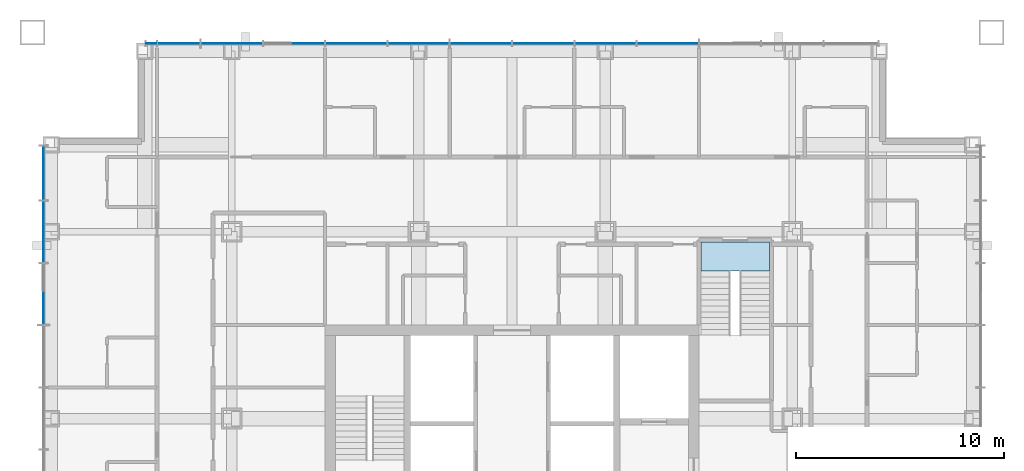
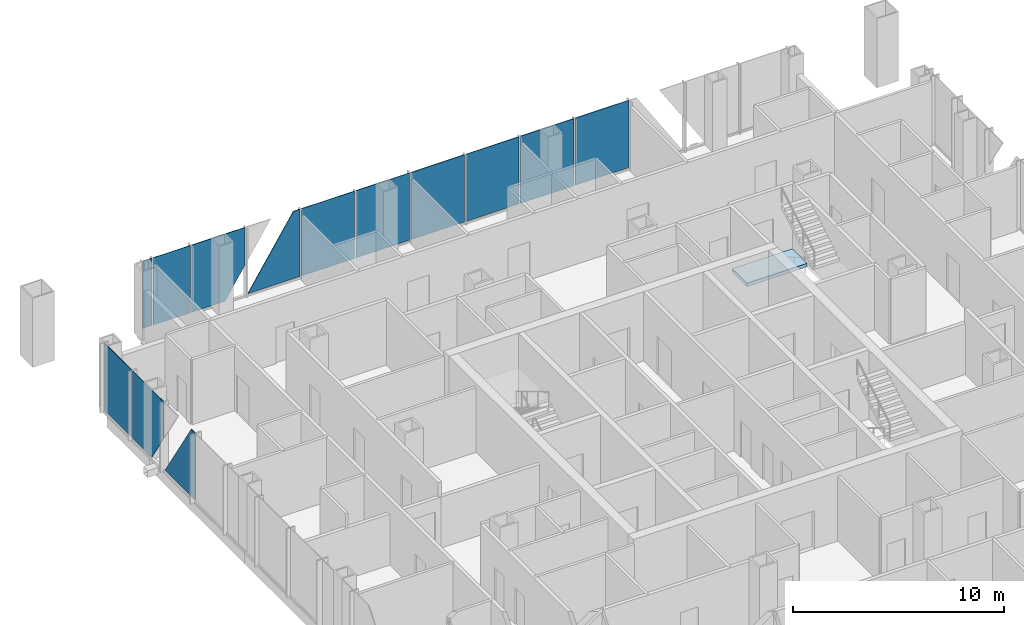
# One storey, part 10 of 18: 13 plates, 1 slab, 3 elements without a shape of their own.
"""IFC4 building model written with IfcOpenShell, lengths in metres."""

from ifc_helpers import new_model, si_unit, direction, frame, origin, origin_2d, place, context, subcontext, project, spatial, polyline, rectangle, outline, extrude, material, layer, layer_set, type_object, element, aggregate, save


model = new_model("IFC4")

# Units and contexts
model_context = context("Model", 3, precision=1e-05, world=origin(), true_north=direction((0.0, 1.0)))
body_context = subcontext(model_context, "Body", "Model", "MODEL_VIEW")
ifc_project = project(units=[si_unit("LENGTHUNIT", "METRE"), si_unit("AREAUNIT", "SQUARE_METRE"), si_unit("VOLUMEUNIT", "CUBIC_METRE"), si_unit("PLANEANGLEUNIT", "RADIAN"), si_unit("MASSUNIT", "GRAM", prefix="KILO")], contexts=[model_context])

# Site, building, storey
site_placement = place(None, origin())
site = spatial("IfcSite", under=ifc_project, at=site_placement, CompositionType="ELEMENT")
building_placement = place(site_placement, origin())
building = spatial("IfcBuilding", under=site, at=building_placement, Name="Malebo Sky Hospital", CompositionType="ELEMENT")
storey_placement = place(building_placement, frame((0.0, 0.0, 225.0)))
storey = spatial("IfcBuildingStorey", under=building, at=storey_placement, Name="L54", CompositionType="ELEMENT", Elevation=225.0)

# Stair, slab
ifc_material_1 = material(Name="Concrete C40/50", Category="concrete")
stair_type = type_object("IfcStairType", Name="HALF-TURN STAIR 1400 R167", PredefinedType="HALF_TURN_STAIR", material=ifc_material_1)
stair_placement = place(storey_placement, origin())
stair = element("IfcStair", 1, at=stair_placement, inside=storey, type_object=stair_type, Name="Stair S3 L54 type ST1B", PredefinedType="HALF_TURN_STAIR")
ifc_layer_1 = layer(ifc_material_1, 0.199951171875)
ifc_layer_set_1 = layer_set([ifc_layer_1], Name="STAIR LANDING 200")
slab_type = type_object("IfcSlabType", Name="STAIR LANDING 200", PredefinedType="LANDING", material=ifc_layer_set_1)
slab_placement = place(storey_placement, frame((0.0, 0.0, -0.199951171875)))
slab = element("IfcSlab", 2, at=slab_placement, type_object=slab_type, Name="S3 landing 1", PredefinedType="LANDING", context=body_context, shape_type="SweptSolid", body=[
    extrude(outline(polyline([(69.10009765625, 73.60009765625), (72.39990234375, 73.60009765625), (72.39990234375, 75.0), (69.10009765625, 75.0), (69.10009765625, 73.60009765625)])), origin(), (0.0, 0.0, 1.0), 0.199951171875),
])
aggregate(stair, [slab])

# Curtain wall, plates
ifc_material_2 = material(Name="Anodised aluminium, natural silver", Category="aluminium")
ifc_layer_2 = layer(ifc_material_2, 0.25)
ifc_layer_set_2 = layer_set([ifc_layer_2], Name="WARD CURTAIN WALL NORTH AND SOUTH")
curtain_wall_type_1 = type_object("IfcCurtainWallType", Name="WARD CURTAIN WALL NORTH AND SOUTH", PredefinedType="NOTDEFINED", material=ifc_layer_set_2)
curtain_wall_1_placement = place(storey_placement, origin())
curtain_wall_1 = element("IfcCurtainWall", 3, at=curtain_wall_1_placement, inside=storey, type_object=curtain_wall_type_1, Name="NS curtain wall N", PredefinedType="NOTDEFINED")
ifc_material_3 = material(Name="Clear low-iron double glazing", Category="glass")
ifc_layer_3 = layer(ifc_material_3, 0.031982421875)
ifc_layer_set_3 = layer_set([ifc_layer_3], Name="VISION PANEL CLEAR 32")
plate_type = type_object("IfcPlateType", Name="VISION PANEL CLEAR 32", PredefinedType="CURTAIN_PANEL", material=ifc_layer_set_3)
plate_1_placement = place(storey_placement, frame((42.61865234375, 84.574951171875, 0.10009765625), z_axis=(0.0, 0.0, 1.0), x_axis=(1.0, 0.0, 0.0)))
plate_1 = element("IfcPlate", 4, at=plate_1_placement, type_object=plate_type, Name="Panel 1", PredefinedType="CURTAIN_PANEL", context=body_context, shape_type="SweptSolid", body=[
    extrude(rectangle(XDim=0.487548828125, YDim=0.031982421875, at=origin_2d()), origin(), (0.0, 0.0, 1.0), 3.889892578125),
])
plate_2_placement = place(storey_placement, frame((43.949951171875, 84.574951171875, 0.10009765625), z_axis=(0.0, 0.0, 1.0), x_axis=(1.0, 0.0, 0.0)))
plate_2 = element("IfcPlate", 5, at=plate_2_placement, type_object=plate_type, Name="Panel 2", PredefinedType="CURTAIN_PANEL", context=body_context, shape_type="SweptSolid", body=[
    extrude(rectangle(XDim=2.02490234375, YDim=0.031982421875, at=origin_2d()), origin(), (0.0, 0.0, 1.0), 3.889892578125),
])
plate_3_placement = place(storey_placement, frame((46.5, 84.574951171875, 0.10009765625), z_axis=(0.0, 0.0, 1.0), x_axis=(1.0, 0.0, 0.0)))
plate_3 = element("IfcPlate", 6, at=plate_3_placement, type_object=plate_type, Name="Panel 3", PredefinedType="CURTAIN_PANEL", context=body_context, shape_type="SweptSolid", body=[
    extrude(outline(polyline([(-1.46240234375, 0.0), (0.363037109375, 0.0), (1.46240234375, 1.71337890625), (1.46240234375, 3.889892578125), (-1.46240234375, 3.889892578125), (-1.46240234375, 0.0)])), frame((0.0, 0.01611328125, 0.0), z_axis=(0.0, -1.0, 0.0), x_axis=(1.0, 0.0, 0.0)), (0.0, 0.0, 1.0), 0.031982421875),
])
plate_4_placement = place(storey_placement, frame((49.537109375, 84.574951171875, 0.10009765625), z_axis=(0.0, 0.0, 1.0), x_axis=(1.0, 0.0, 0.0)))
plate_4 = element("IfcPlate", 7, at=plate_4_placement, type_object=plate_type, Name="Panel 4", PredefinedType="CURTAIN_PANEL", context=body_context, shape_type="SweptSolid", body=[
    extrude(outline(polyline([(-1.42529296875, 0.0), (1.42529296875, 0.0), (1.42529296875, 3.889892578125), (1.07080078125, 3.889892578125), (-1.42529296875, 0.0)])), frame((0.0, 0.01611328125, 0.0), z_axis=(0.0, -1.0, 0.0), x_axis=(1.0, 0.0, 0.0)), (0.0, 0.0, 1.0), 0.031982421875),
])
plate_5_placement = place(storey_placement, frame((52.5, 84.574951171875, 0.10009765625), z_axis=(0.0, 0.0, 1.0), x_axis=(1.0, 0.0, 0.0)))
plate_5 = element("IfcPlate", 8, at=plate_5_placement, type_object=plate_type, Name="Panel 5", PredefinedType="CURTAIN_PANEL", context=body_context, shape_type="SweptSolid", body=[
    extrude(rectangle(XDim=2.925048828125, YDim=0.031982421875, at=origin_2d()), origin(), (0.0, 0.0, 1.0), 3.889892578125),
])
plate_6_placement = place(storey_placement, frame((55.5, 84.574951171875, 0.10009765625), z_axis=(0.0, 0.0, 1.0), x_axis=(1.0, 0.0, 0.0)))
plate_6 = element("IfcPlate", 9, at=plate_6_placement, type_object=plate_type, Name="Panel 6", PredefinedType="CURTAIN_PANEL", context=body_context, shape_type="SweptSolid", body=[
    extrude(rectangle(XDim=2.925048828125, YDim=0.031982421875, at=origin_2d()), origin(), (0.0, 0.0, 1.0), 3.889892578125),
])
plate_7_placement = place(storey_placement, frame((58.5, 84.574951171875, 0.10009765625), z_axis=(0.0, 0.0, 1.0), x_axis=(1.0, 0.0, 0.0)))
plate_7 = element("IfcPlate", 10, at=plate_7_placement, type_object=plate_type, Name="Panel 7", PredefinedType="CURTAIN_PANEL", context=body_context, shape_type="SweptSolid", body=[
    extrude(rectangle(XDim=2.925048828125, YDim=0.031982421875, at=origin_2d()), origin(), (0.0, 0.0, 1.0), 3.889892578125),
])
plate_8_placement = place(storey_placement, frame((61.5, 84.574951171875, 0.10009765625), z_axis=(0.0, 0.0, 1.0), x_axis=(1.0, 0.0, 0.0)))
plate_8 = element("IfcPlate", 11, at=plate_8_placement, type_object=plate_type, Name="Panel 8", PredefinedType="CURTAIN_PANEL", context=body_context, shape_type="SweptSolid", body=[
    extrude(rectangle(XDim=2.925048828125, YDim=0.031982421875, at=origin_2d()), origin(), (0.0, 0.0, 1.0), 3.889892578125),
])
plate_9_placement = place(storey_placement, frame((64.5, 84.574951171875, 0.10009765625), z_axis=(0.0, 0.0, 1.0), x_axis=(1.0, 0.0, 0.0)))
plate_9 = element("IfcPlate", 12, at=plate_9_placement, type_object=plate_type, Name="Panel 9", PredefinedType="CURTAIN_PANEL", context=body_context, shape_type="SweptSolid", body=[
    extrude(rectangle(XDim=2.925048828125, YDim=0.031982421875, at=origin_2d()), origin(), (0.0, 0.0, 1.0), 3.889892578125),
])
plate_10_placement = place(storey_placement, frame((67.5, 84.574951171875, 0.10009765625), z_axis=(0.0, 0.0, 1.0), x_axis=(1.0, 0.0, 0.0)))
plate_10 = element("IfcPlate", 13, at=plate_10_placement, type_object=plate_type, Name="Panel 10", PredefinedType="CURTAIN_PANEL", context=body_context, shape_type="SweptSolid", body=[
    extrude(rectangle(XDim=2.925048828125, YDim=0.031982421875, at=origin_2d()), origin(), (0.0, 0.0, 1.0), 3.889892578125),
])
aggregate(curtain_wall_1, [plate_1, plate_2, plate_3, plate_4, plate_5, plate_6, plate_7, plate_8, plate_9, plate_10])

ifc_layer_4 = layer(ifc_material_2, 0.25)
ifc_layer_set_4 = layer_set([ifc_layer_4], Name="WARD CURTAIN WALL EAST AND WEST")
curtain_wall_type_2 = type_object("IfcCurtainWallType", Name="WARD CURTAIN WALL EAST AND WEST", PredefinedType="NOTDEFINED", material=ifc_layer_set_4)
curtain_wall_2_placement = place(storey_placement, origin())
curtain_wall_2 = element("IfcCurtainWall", 14, at=curtain_wall_2_placement, inside=storey, type_object=curtain_wall_type_2, Name="EW curtain wall W", PredefinedType="NOTDEFINED")
plate_11_placement = place(storey_placement, frame((37.425048828125, 72.462890625, 0.10009765625), z_axis=(0.0, 0.0, 1.0), x_axis=(0.0, 1.0, 0.0)))
plate_11 = element("IfcPlate", 15, at=plate_11_placement, type_object=plate_type, Name="Panel 11", PredefinedType="CURTAIN_PANEL", context=body_context, shape_type="SweptSolid", body=[
    extrude(outline(polyline([(-1.42529296875, 0.0), (1.42529296875, 0.0), (-1.07080078125, 3.889892578125), (-1.42529296875, 3.889892578125), (-1.42529296875, 0.0)])), frame((0.0, 0.01611328125, 0.0), z_axis=(0.0, -1.0, 0.0), x_axis=(1.0, 0.0, 0.0)), (0.0, 0.0, 1.0), 0.031982421875),
])
plate_12_placement = place(storey_placement, frame((37.425048828125, 75.5, 0.10009765625), z_axis=(0.0, 0.0, 1.0), x_axis=(0.0, 1.0, 0.0)))
plate_12 = element("IfcPlate", 16, at=plate_12_placement, type_object=plate_type, Name="Panel 12", PredefinedType="CURTAIN_PANEL", context=body_context, shape_type="SweptSolid", body=[
    extrude(outline(polyline([(-0.363037109375, 0.0), (1.46240234375, 0.0), (1.46240234375, 3.889892578125), (-1.46240234375, 3.889892578125), (-1.46240234375, 1.71337890625), (-0.363037109375, 0.0)])), frame((0.0, 0.01611328125, 0.0), z_axis=(0.0, -1.0, 0.0), x_axis=(1.0, 0.0, 0.0)), (0.0, 0.0, 1.0), 0.031982421875),
])
plate_13_placement = place(storey_placement, frame((37.425048828125, 78.331298828125, 0.10009765625), z_axis=(0.0, 0.0, 1.0), x_axis=(0.0, 1.0, 0.0)))
plate_13 = element("IfcPlate", 17, at=plate_13_placement, type_object=plate_type, Name="Panel 13", PredefinedType="CURTAIN_PANEL", context=body_context, shape_type="SweptSolid", body=[
    extrude(rectangle(XDim=2.58740234375, YDim=0.031982421875, at=origin_2d()), origin(), (0.0, 0.0, 1.0), 3.889892578125),
])
aggregate(curtain_wall_2, [plate_11, plate_12, plate_13])

save(model, "model.ifc")
